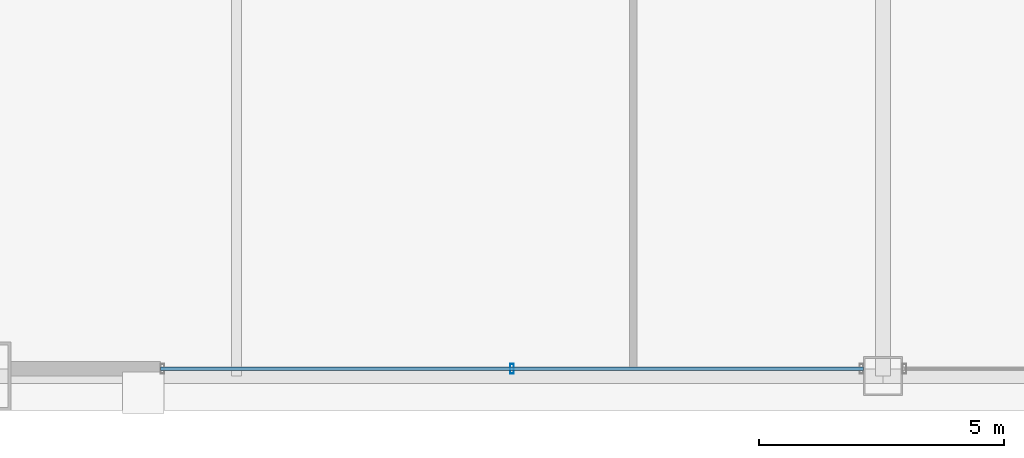
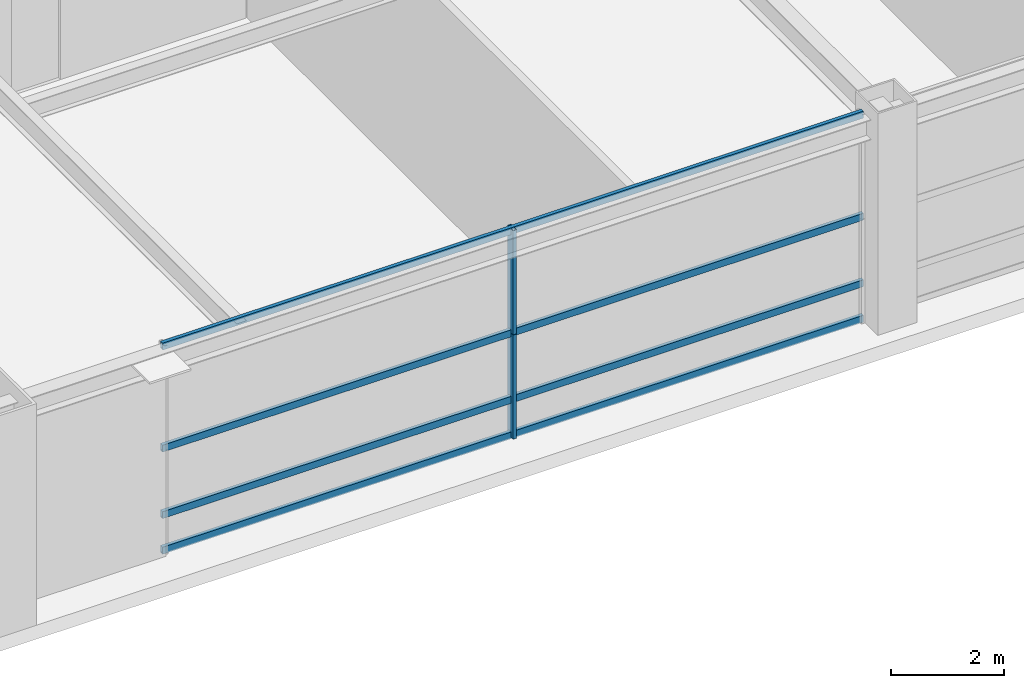
# One storey, part 6 of 34: 6 members, 1 element without a shape of its own.
"""IFC4 building model written with IfcOpenShell, lengths in metres."""

import ifcopenshell
import ifcopenshell.guid

model = None  # the IFC model being written
_history = None  # IfcOwnerHistory: only IFC2X3 demands one
_inside = {}  # id of a spatial element -> (the spatial element, [elements in it])
_under = {}  # id of a project, library or spatial element -> (it, [spatial elements below it])
_declared = {}  # id of a project -> (the project, [libraries it declares])
_typed = {}  # id of a type object -> (the type object, [elements of that type])
_made_of = {}  # id of a material, layer set ... -> (it, [elements and type objects made of it])


def new_model(schema):
    """Start an empty IFC model of exactly this schema.

    Asked for "IFC4X3", IfcOpenShell would pick the latest addendum, in which some entities
    have other attributes; the version numbers below select the first issue.
    IFC2X3 requires an IfcOwnerHistory on every rooted entity: one is made here for all.
    """
    global model, _history
    if schema == "IFC4X3":
        model = ifcopenshell.file(schema_version=(4, 3, 0, 0))
    else:
        model = ifcopenshell.file(schema=schema)
    _inside.clear()
    _under.clear()
    _declared.clear()
    _typed.clear()
    _made_of.clear()
    _history = None
    if model.schema == "IFC2X3":
        org = make("IfcOrganization", Name="unknown")
        user = make(
            "IfcPersonAndOrganization",
            ThePerson=make("IfcPerson", FamilyName="unknown"),
            TheOrganization=org,
        )
        app = make(
            "IfcApplication",
            ApplicationDeveloper=org,
            Version="unknown",
            ApplicationFullName="unknown",
            ApplicationIdentifier="unknown",
        )
        _history = make(
            "IfcOwnerHistory",
            OwningUser=user,
            OwningApplication=app,
            ChangeAction="ADDED",
            CreationDate=0,
        )
    return model


def make(cls, **values):
    """One entity of the class cls with the attributes given. An attribute that is None is left unset."""
    return model.create_entity(
        cls, **{name: value for name, value in values.items() if value is not None}
    )


def rooted(cls, **values):
    """An entity with a GlobalId (a new one), such as an element, a storey or a relation."""
    return make(cls, GlobalId=ifcopenshell.guid.new(), OwnerHistory=_history, **values)


def si_unit(unit_type, name, prefix=None):
    """IfcSIUnit, for example si_unit("LENGTHUNIT", "METRE", prefix="MILLI")."""
    return make("IfcSIUnit", UnitType=unit_type, Prefix=prefix, Name=name)


def assignment(units):
    """IfcUnitAssignment: the units of a project."""
    return None if units is None else make("IfcUnitAssignment", Units=units)


def point(xyz):
    """IfcCartesianPoint."""
    return None if xyz is None else make("IfcCartesianPoint", Coordinates=xyz)


def direction(xyz):
    """IfcDirection."""
    return None if xyz is None else make("IfcDirection", DirectionRatios=xyz)


def frame(location, z_axis=None, x_axis=None):
    """IfcAxis2Placement3D, a coordinate frame: its origin and axes. An axis left out is left unset."""
    return make(
        "IfcAxis2Placement3D",
        Location=point(location),
        Axis=direction(z_axis),
        RefDirection=direction(x_axis),
    )


def frame_2d(location, x_axis=None):
    """IfcAxis2Placement2D, a coordinate frame in the plane: its origin and x axis."""
    return make(
        "IfcAxis2Placement2D", Location=point(location), RefDirection=direction(x_axis)
    )


def origin():
    """The frame at (0, 0, 0) with its axes left unset."""
    return frame((0.0, 0.0, 0.0))


def origin_2d():
    """The frame at (0, 0) in the plane with its x axis left unset."""
    return frame_2d((0.0, 0.0))


def place(relative_to, where):
    """IfcLocalPlacement: puts the frame where relative to a parent placement (None: the world)."""
    return make(
        "IfcLocalPlacement", PlacementRelTo=relative_to, RelativePlacement=where
    )


def context(
    kind, dimensions, precision=None, world=None, true_north=None, identifier=None
):
    """IfcGeometricRepresentationContext, for example the 3D "Model" context."""
    return make(
        "IfcGeometricRepresentationContext",
        ContextIdentifier=identifier,
        ContextType=kind,
        CoordinateSpaceDimension=dimensions,
        Precision=precision,
        WorldCoordinateSystem=world,
        TrueNorth=true_north,
    )


def subcontext(parent, identifier, kind, view, scale=None):
    """IfcGeometricRepresentationSubContext, for example "Body" below "Model"."""
    return make(
        "IfcGeometricRepresentationSubContext",
        ContextIdentifier=identifier,
        ContextType=kind,
        ParentContext=parent,
        TargetScale=scale,
        TargetView=view,
    )


def project(units=None, contexts=None):
    """IfcProject with its units and contexts."""
    return rooted(
        "IfcProject",
        Name="project",
        RepresentationContexts=contexts,
        UnitsInContext=assignment(units),
    )


def spatial(cls, under=None, at=None, **own):
    """A site, building, storey or space (cls), placed at a placement, below another one or the project."""
    s = rooted(cls, ObjectPlacement=at, **own)
    if under is not None:
        _under.setdefault(under.id(), (under, []))[1].append(s)
    return s


def profile(cls, at=None, kind="AREA", **sizes):
    """A parametric profile (cls). Its sizes go by their IFC names, for example OverallWidth=200.0."""
    return make(cls, ProfileType=kind, Position=at, **sizes)


def hollow_rectangle(**sizes):
    """IfcRectangleHollowProfileDef."""
    return profile("IfcRectangleHollowProfileDef", **sizes)


def extrude(swept, where, along, depth):
    """IfcExtrudedAreaSolid: the profile swept, set in the frame where, extruded along a direction by depth."""
    return make(
        "IfcExtrudedAreaSolid",
        SweptArea=swept,
        Position=where,
        ExtrudedDirection=direction(along),
        Depth=depth,
    )


def shape(context_of_items, identifier, shape_type, items):
    """IfcShapeRepresentation: the items that make up one representation, for example the "Body"."""
    return make(
        "IfcShapeRepresentation",
        ContextOfItems=context_of_items,
        RepresentationIdentifier=identifier,
        RepresentationType=shape_type,
        Items=items,
    )


def source(mapping_origin, context_of_items, identifier, shape_type, items):
    """IfcRepresentationMap: a shape defined once, which mapped items show again and again."""
    return make(
        "IfcRepresentationMap",
        MappingOrigin=mapping_origin,
        MappedRepresentation=shape(context_of_items, identifier, shape_type, items),
    )


def transform(
    local_origin,
    x_axis=None,
    y_axis=None,
    z_axis=None,
    scale=None,
    scale2=None,
    scale3=None,
    uniform=True,
):
    """IfcCartesianTransformationOperator3D, or its non-uniform kind. x_axis, y_axis, z_axis: its Axis1, 2, 3."""
    if uniform:
        return make(
            "IfcCartesianTransformationOperator3D",
            Axis1=direction(x_axis),
            Axis2=direction(y_axis),
            LocalOrigin=point(local_origin),
            Scale=scale,
            Axis3=direction(z_axis),
        )
    return make(
        "IfcCartesianTransformationOperator3DnonUniform",
        Axis1=direction(x_axis),
        Axis2=direction(y_axis),
        LocalOrigin=point(local_origin),
        Scale=scale,
        Axis3=direction(z_axis),
        Scale2=scale2,
        Scale3=scale3,
    )


def mapped(mapping_source, mapping_target):
    """IfcMappedItem: shows the shape of a source again, moved by a transform."""
    return make(
        "IfcMappedItem", MappingSource=mapping_source, MappingTarget=mapping_target
    )


def material(Name=None, Category=None):
    """IfcMaterial."""
    return make("IfcMaterial", Name=Name, Category=Category)


def layer(
    of_material, thickness, ventilated=None, Name=None, Category=None, Priority=None
):
    """IfcMaterialLayer: one layer of a wall or slab, of a material (None: an air gap)."""
    return make(
        "IfcMaterialLayer",
        Material=of_material,
        LayerThickness=thickness,
        IsVentilated=ventilated,
        Name=Name,
        Category=Category,
        Priority=Priority,
    )


def layer_set(layers, Name=None):
    """IfcMaterialLayerSet."""
    return make("IfcMaterialLayerSet", MaterialLayers=layers, LayerSetName=Name)


def material_profile(
    of_material, cross_section, Name=None, Category=None, Priority=None
):
    """IfcMaterialProfile: a cross section and its material."""
    return make(
        "IfcMaterialProfile",
        Name=Name,
        Material=of_material,
        Profile=cross_section,
        Priority=Priority,
        Category=Category,
    )


def profile_set(profiles, Name=None, composite=None):
    """IfcMaterialProfileSet."""
    return make(
        "IfcMaterialProfileSet",
        Name=Name,
        MaterialProfiles=profiles,
        CompositeProfile=composite,
    )


def made_of(thing, what):
    """Note that an element or type object is made of a material, layer set ...; save() writes the relation."""
    if what is not None:
        _made_of.setdefault(what.id(), (what, []))[1].append(thing)
    return thing


def type_object(cls, material=None, **own):
    """A type object (cls), such as IfcWallType, which elements share."""
    return made_of(rooted(cls, **own), material)


def element(
    cls,
    number,
    at=None,
    inside=None,
    cuts=None,
    type_object=None,
    material=None,
    context=None,
    identifier="Body",
    shape_type=None,
    held_by="IfcProductDefinitionShape",
    body=None,
    shapes=None,
    **own,
):
    """One element of the class cls, such as IfcWall. Its Tag is "e" and its number.

    at: its placement. inside: the storey or other place that contains it. cuts: it is an
    opening in that element (IfcRelVoidsElement). A single representation is given by context,
    identifier, shape_type and body (its items); several are given by shapes. held_by: the class
    of the entity that holds the representations. save() writes the other relations.
    """
    e = rooted(cls, Tag="e%d" % number, ObjectPlacement=at, **own)
    if body is not None:
        shapes = [shape(context, identifier, shape_type, body)]
    if shapes is not None:
        e.Representation = make(held_by, Representations=shapes)
    if inside is not None:
        _inside.setdefault(inside.id(), (inside, []))[1].append(e)
    if cuts is not None:
        rooted(
            "IfcRelVoidsElement", RelatingBuildingElement=cuts, RelatedOpeningElement=e
        )
    if type_object is not None:
        _typed.setdefault(type_object.id(), (type_object, []))[1].append(e)
    return made_of(e, material)


def aggregate(whole, parts):
    """IfcRelAggregates: a whole, such as a stair, and the parts it consists of."""
    return rooted("IfcRelAggregates", RelatingObject=whole, RelatedObjects=parts)


def save(model, path):
    """Write the relations noted so far, then the file.

    IfcRelAggregates (storeys below a building ...), IfcRelContainedInSpatialStructure (elements
    in a storey), IfcRelDefinesByType, IfcRelAssociatesMaterial and IfcRelDeclares: one each for
    every whole, place, type object, material and project.
    """
    for whole, parts in _under.values():
        aggregate(whole, parts)
    for where, things in _inside.values():
        rooted(
            "IfcRelContainedInSpatialStructure",
            RelatedElements=things,
            RelatingStructure=where,
        )
    for kind, things in _typed.values():
        rooted("IfcRelDefinesByType", RelatedObjects=things, RelatingType=kind)
    for what, things in _made_of.values():
        rooted("IfcRelAssociatesMaterial", RelatedObjects=things, RelatingMaterial=what)
    for by, libraries in _declared.values():
        rooted("IfcRelDeclares", RelatingContext=by, RelatedDefinitions=libraries)
    model.write(path)


model = new_model("IFC4")

# Units and contexts
model_context = context("Model", 3, precision=1e-05, world=origin(), true_north=direction((0.0, 1.0)))
body_context = subcontext(model_context, "Body", "Model", "MODEL_VIEW")
ifc_project = project(units=[si_unit("LENGTHUNIT", "METRE"), si_unit("AREAUNIT", "SQUARE_METRE"), si_unit("VOLUMEUNIT", "CUBIC_METRE"), si_unit("PLANEANGLEUNIT", "RADIAN"), si_unit("MASSUNIT", "GRAM", prefix="KILO"), si_unit("THERMODYNAMICTEMPERATUREUNIT", "KELVIN"), si_unit("POWERUNIT", "WATT")], contexts=[model_context])

# Site, building, storey
site_placement = place(None, origin())
site = spatial("IfcSite", under=ifc_project, at=site_placement, CompositionType="ELEMENT")
building_placement = place(site_placement, origin())
building = spatial("IfcBuilding", under=site, at=building_placement, Name="Yuzanri Waterfront Tower", CompositionType="ELEMENT")
storey_placement = place(building_placement, frame((0.0, 0.0, 171.60009765625)))
storey = spatial("IfcBuildingStorey", under=building, at=storey_placement, Name="L45", CompositionType="ELEMENT", Elevation=171.60009765625)

# Curtain wall, members
ifc_material_1 = material(Name="Anodized Architectural Bronze", Category="metal")
ifc_layer = layer(ifc_material_1, 0.159912109375)
ifc_layer_set = layer_set([ifc_layer], Name="Anodized Architectural Bronze")
curtain_wall_type = type_object("IfcCurtainWallType", Name="Anodized Bronze Sky-Lobby Triple-Glazed Feature Curtain Wall 7500", PredefinedType="NOTDEFINED", material=ifc_layer_set)
curtain_wall_placement = place(storey_placement, origin())
curtain_wall = element("IfcCurtainWall", 1, at=curtain_wall_placement, inside=storey, type_object=curtain_wall_type, Name="L45 Curtain Wall CW-L45-SL", PredefinedType="NOTDEFINED")
ifc_material_2 = material(Name="Anodized Architectural Bronze", Category="metal")
ifc_material_profile_1 = material_profile(ifc_material_2, hollow_rectangle(XDim=0.074951171875, YDim=0.199951171875, WallThickness=0.00390625, at=origin_2d()), Name="CWM 75x200")
ifc_profile_set_1 = profile_set([ifc_material_profile_1], Name="Anodized Architectural Bronze")
member_type_1 = type_object("IfcMemberType", Name="Anodized Bronze Primary Curtain-Wall Mullion 75x200", PredefinedType="MULLION", material=ifc_profile_set_1)
shared_shape_1 = source(origin(), body_context, "Body", "SweptSolid", [
    extrude(hollow_rectangle(XDim=0.074951171875, YDim=0.199951171875, WallThickness=0.00390625, at=origin_2d()), origin(), (0.0, 0.0, 1.0), 2.258056640625),
])
member_1_placement = place(storey_placement, frame((29.425048828125, 3.85009765625, 2.261962890625), z_axis=(0.0, 0.0, 1.0), x_axis=(1.0, 0.0, 0.0)))
member_1 = element("IfcMember", 2, at=member_1_placement, type_object=member_type_1, Name="CW-L45-SL Upper Mullion 01", PredefinedType="MULLION", context=body_context, shape_type="MappedRepresentation", body=[
    mapped(shared_shape_1, transform((0.0, 0.0, 0.0), scale=1.0)),
])
shared_shape_2 = source(origin(), body_context, "Body", "SweptSolid", [
    extrude(hollow_rectangle(XDim=0.074951171875, YDim=0.199951171875, WallThickness=0.00390625, at=origin_2d()), origin(), (0.0, 0.0, 1.0), 2.2578125),
])
member_2_placement = place(storey_placement, frame((29.425048828125, 3.85009765625, 0.0), z_axis=(0.0, 0.0, 1.0), x_axis=(1.0, 0.0, 0.0)))
member_2 = element("IfcMember", 3, at=member_2_placement, type_object=member_type_1, Name="CW-L45-SL Lower Mullion 01", PredefinedType="MULLION", context=body_context, shape_type="MappedRepresentation", body=[
    mapped(shared_shape_2, transform((0.0, 0.0, 0.0), scale=1.0)),
])
ifc_material_3 = material(Name="Anodized Architectural Bronze", Category="metal")
ifc_material_profile_2 = material_profile(ifc_material_3, hollow_rectangle(XDim=0.074951171875, YDim=0.14990234375, WallThickness=0.00390625, at=origin_2d()), Name="CWT 75x150")
ifc_profile_set_2 = profile_set([ifc_material_profile_2], Name="Anodized Architectural Bronze")
member_type_2 = type_object("IfcMemberType", Name="Anodized Bronze Primary Curtain-Wall Transom 75x150", PredefinedType="USERDEFINED", material=ifc_profile_set_2)
shared_shape_3 = source(origin(), body_context, "Body", "SweptSolid", [
    extrude(hollow_rectangle(XDim=0.074951171875, YDim=0.14990234375, WallThickness=0.00390625, at=origin_2d()), origin(), (0.0, 0.0, 1.0), 14.35009765625),
])
member_3_placement = place(storey_placement, frame((22.25, 3.85009765625, 0.0498046875), z_axis=(1.0, 0.0, 0.0), x_axis=(0.0, 1.0, 0.0)))
member_3 = element("IfcMember", 4, at=member_3_placement, type_object=member_type_2, Name="CW-L45-SL Transom 1", ObjectType="TRANSOM", PredefinedType="USERDEFINED", context=body_context, shape_type="MappedRepresentation", body=[
    mapped(shared_shape_3, transform((0.0, 0.0, 0.0), scale=1.0)),
])
member_4_placement = place(storey_placement, frame((22.25, 3.85009765625, 0.81982421875), z_axis=(1.0, 0.0, 0.0), x_axis=(0.0, 1.0, 0.0)))
member_4 = element("IfcMember", 5, at=member_4_placement, type_object=member_type_2, Name="CW-L45-SL Transom 2", ObjectType="TRANSOM", PredefinedType="USERDEFINED", context=body_context, shape_type="MappedRepresentation", body=[
    mapped(shared_shape_3, transform((0.0, 0.0, 0.0), scale=1.0)),
])
member_5_placement = place(storey_placement, frame((22.25, 3.85009765625, 2.260009765625), z_axis=(1.0, 0.0, 0.0), x_axis=(0.0, 1.0, 0.0)))
member_5 = element("IfcMember", 6, at=member_5_placement, type_object=member_type_2, Name="CW-L45-SL Transom 3", ObjectType="TRANSOM", PredefinedType="USERDEFINED", context=body_context, shape_type="MappedRepresentation", body=[
    mapped(shared_shape_3, transform((0.0, 0.0, 0.0), scale=1.0)),
])
member_6_placement = place(storey_placement, frame((22.25, 3.85009765625, 4.469970703125), z_axis=(1.0, 0.0, 0.0), x_axis=(0.0, 1.0, 0.0)))
member_6 = element("IfcMember", 7, at=member_6_placement, type_object=member_type_2, Name="CW-L45-SL Transom 4", ObjectType="TRANSOM", PredefinedType="USERDEFINED", context=body_context, shape_type="MappedRepresentation", body=[
    mapped(shared_shape_3, transform((0.0, 0.0, 0.0), scale=1.0)),
])
aggregate(curtain_wall, [member_2, member_1, member_3, member_4, member_5, member_6])

save(model, "model.ifc")
